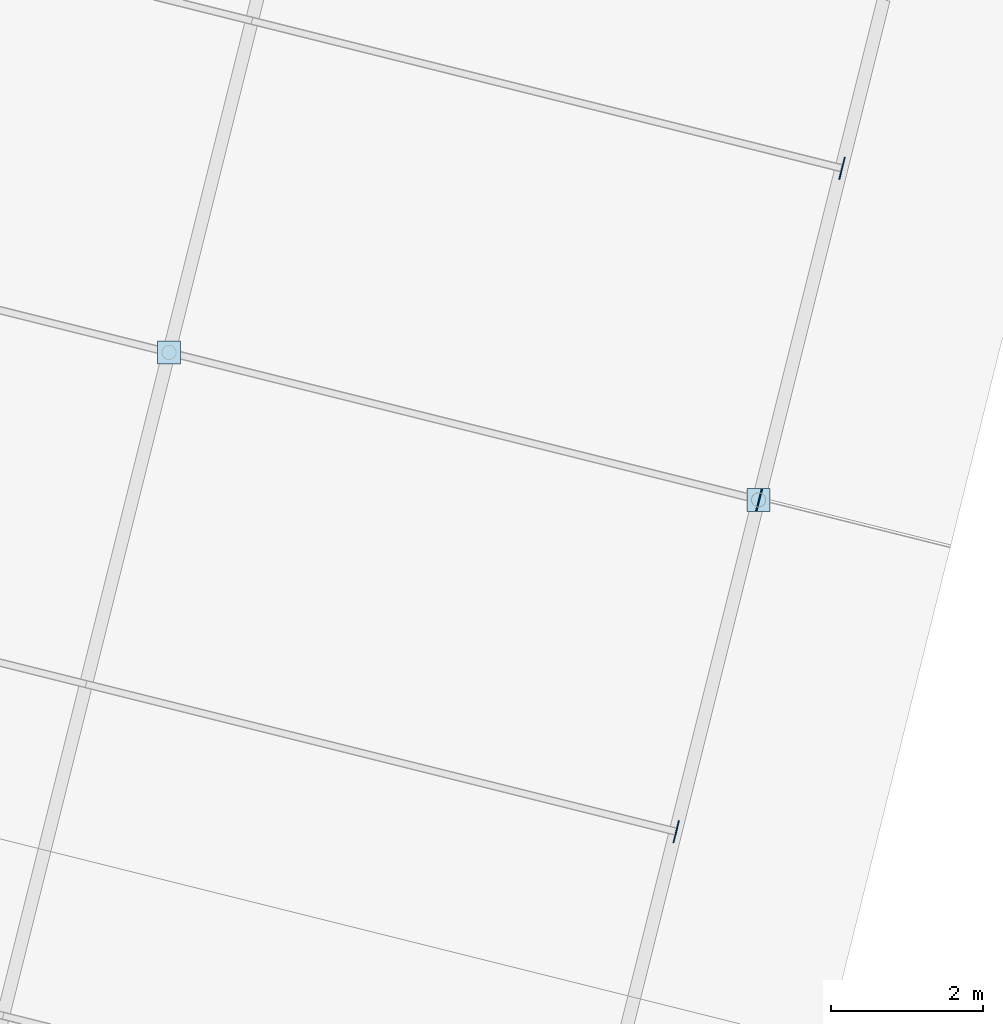
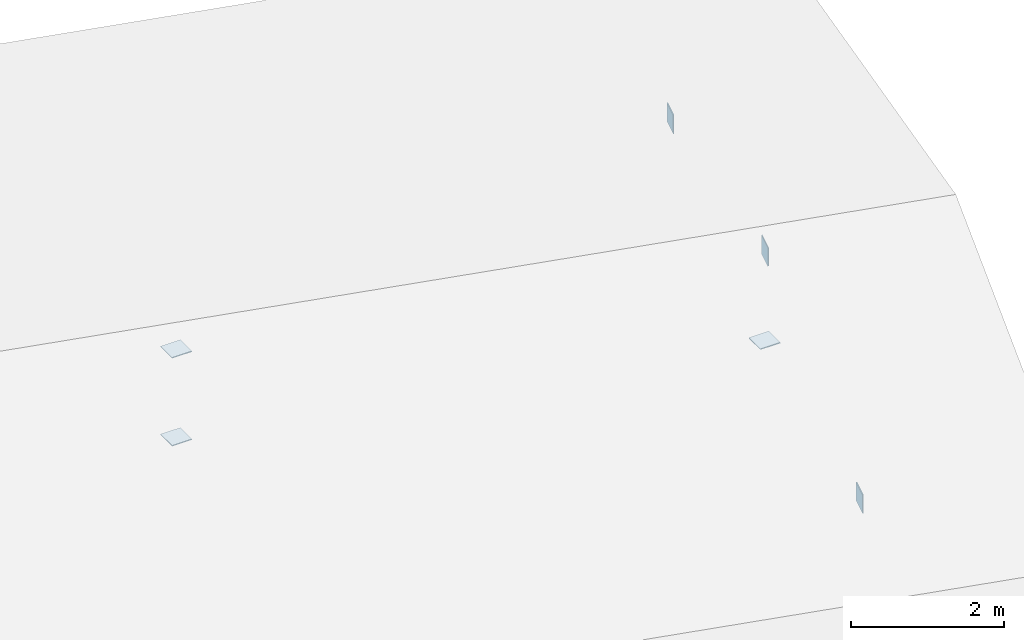
# One storey, part 105 of 107: 6 plates.
"""IFC4 building model written with IfcOpenShell, lengths in metres."""

from ifc_helpers import new_model, si_unit, derived_unit, direction, frame, origin, origin_2d, place, context, subcontext, project, spatial, rectangle, extrude, material, layer, layer_set, type_object, element, save


model = new_model("IFC4")

# Units and contexts
model_context = context("Model", 3, precision=1e-05, world=origin(), true_north=direction((0.0, 1.0)))
body_context = subcontext(model_context, "Body", "Model", "MODEL_VIEW")
ifc_project = project(units=[si_unit("LENGTHUNIT", "METRE"), si_unit("AREAUNIT", "SQUARE_METRE"), si_unit("VOLUMEUNIT", "CUBIC_METRE"), si_unit("PLANEANGLEUNIT", "RADIAN"), si_unit("MASSUNIT", "GRAM", prefix="KILO"), si_unit("THERMODYNAMICTEMPERATUREUNIT", "KELVIN"), si_unit("TIMEUNIT", "SECOND"), derived_unit("THERMALTRANSMITTANCEUNIT", [(si_unit("MASSUNIT", "GRAM", prefix="KILO"), 1), (si_unit("THERMODYNAMICTEMPERATUREUNIT", "KELVIN"), -1), (si_unit("TIMEUNIT", "SECOND"), -3)])], contexts=[model_context])

# Site, building, storey
site_placement = place(None, origin())
site = spatial("IfcSite", under=ifc_project, at=site_placement, CompositionType="ELEMENT")
building_placement = place(site_placement, origin())
building = spatial("IfcBuilding", under=site, at=building_placement, Name="Cambertide Market Hall", CompositionType="ELEMENT")
storey_placement = place(building_placement, frame((0.0, 0.0, 18.300048828125)))
storey = spatial("IfcBuildingStorey", under=building, at=storey_placement, Name="RF", CompositionType="ELEMENT", Elevation=18.300048828125)

# Plates
ifc_material = material(Name="Steel S355", Category="steel")
ifc_layer = layer(ifc_material, 0.013916015625, Name="Steel End Cap Plate EC-02")
ifc_layer_set = layer_set([ifc_layer], Name="Steel S355")
plate_type = type_object("IfcPlateType", Name="Steel End Cap Plate EC-02", PredefinedType="USERDEFINED", material=ifc_layer_set)
for number, where, z_axis, x_axis, name in (
    (1, (173.915771484375, 99.755859375, -0.0322265625), (0.0, 0.0, 1.0), (0.970142500145, -0.242535625038, 0.0), "V4 East Gable Purlin Cap Plate 157"),
    (2, (175.00732421875, 104.121337890625, 0.88330078125), (0.0, 0.0, 1.0), (0.970142500145, -0.242535625038, 0.0), "V4 East Gable Purlin Cap Plate 202"),
    (3, (176.0986328125, 108.487060546875, -0.0322265625), (0.0, 0.0, 1.0), (0.970142500145, -0.242535625038, 0.0), "V4 East Gable Purlin Cap Plate 247"),
):
    element("IfcPlate", number, at=place(storey_placement, frame(where, z_axis=z_axis, x_axis=x_axis)), inside=storey, type_object=plate_type, Name=name, ObjectType="END CAP PLATE", PredefinedType="USERDEFINED", context=body_context, shape_type="SweptSolid", body=[
        extrude(rectangle(XDim=0.013916015625, YDim=0.300048828125, at=origin_2d()), origin(), (0.0, 0.0, 1.0), 0.300048828125),
    ])
for number, where, z_axis, x_axis, name in (
    (4, (167.2392578125, 106.0634765625, -0.4072265625), (0.0, 0.0, 1.0), (1.0, 0.0, 0.0), "High-Bay Brace Connection End Cap Plate EC-BRN-267"),
    (5, (167.2392578125, 106.0634765625, 0.99609375), (0.0, 0.0, 1.0), (1.0, 0.0, 0.0), "High-Bay Brace Connection End Cap Plate EC-BRN-268"),
    (6, (175.00048828125, 104.123046875, -0.4072265625), (0.0, 0.0, 1.0), (1.0, 0.0, 0.0), "High-Bay Brace Connection End Cap Plate EC-BRN-270"),
):
    element("IfcPlate", number, at=place(storey_placement, frame(where, z_axis=z_axis, x_axis=x_axis)), inside=storey, type_object=plate_type, Name=name, ObjectType="END CAP PLATE", PredefinedType="USERDEFINED", context=body_context, shape_type="SweptSolid", body=[
        extrude(rectangle(XDim=0.300048828125, YDim=0.300048828125, at=origin_2d()), origin(), (0.0, 0.0, 1.0), 0.013916015625),
    ])

save(model, "model.ifc")
